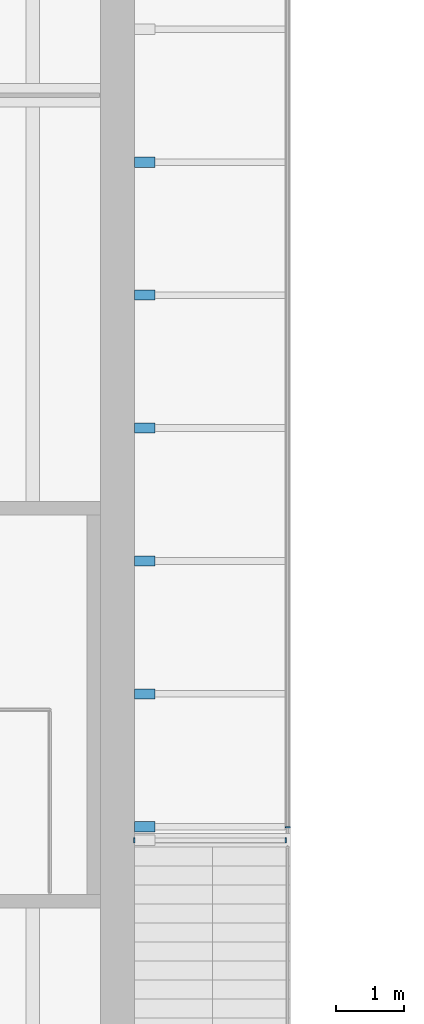
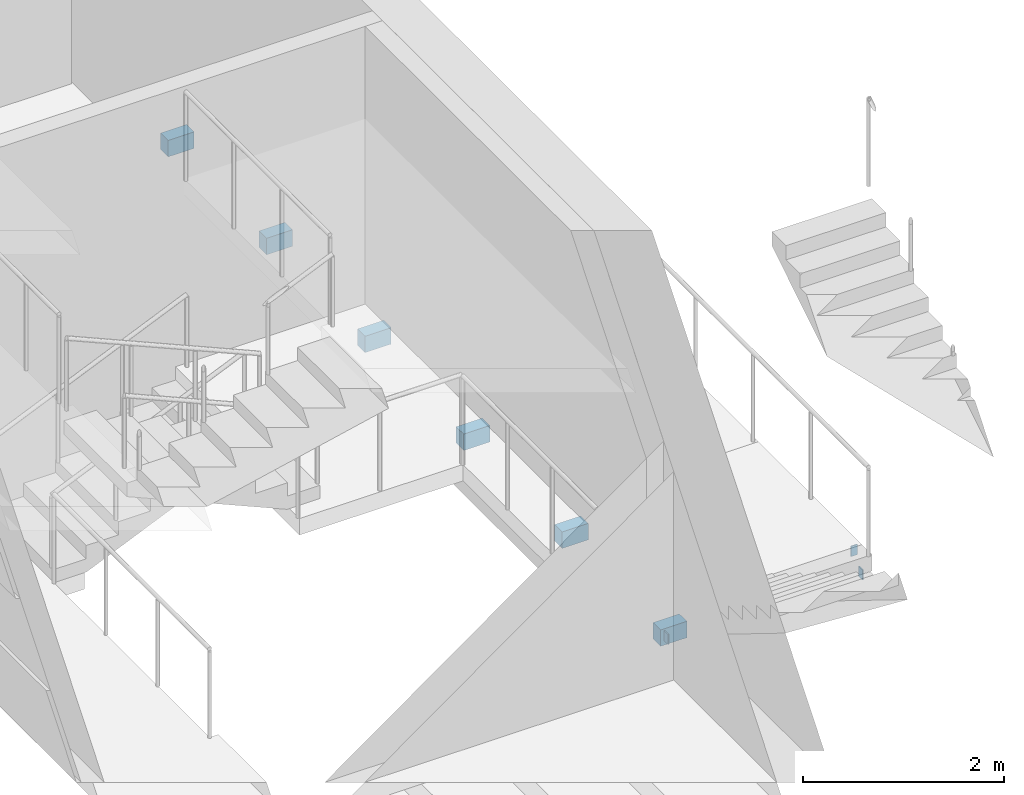
# One storey, part 38 of 70: 9 discrete accessories.
"""IFC4 building model written with IfcOpenShell, lengths in metres."""

import ifcopenshell
import ifcopenshell.guid

model = None  # the IFC model being written
_history = None  # IfcOwnerHistory: only IFC2X3 demands one
_inside = {}  # id of a spatial element -> (the spatial element, [elements in it])
_under = {}  # id of a project, library or spatial element -> (it, [spatial elements below it])
_declared = {}  # id of a project -> (the project, [libraries it declares])
_typed = {}  # id of a type object -> (the type object, [elements of that type])
_made_of = {}  # id of a material, layer set ... -> (it, [elements and type objects made of it])


def new_model(schema):
    """Start an empty IFC model of exactly this schema.

    Asked for "IFC4X3", IfcOpenShell would pick the latest addendum, in which some entities
    have other attributes; the version numbers below select the first issue.
    IFC2X3 requires an IfcOwnerHistory on every rooted entity: one is made here for all.
    """
    global model, _history
    if schema == "IFC4X3":
        model = ifcopenshell.file(schema_version=(4, 3, 0, 0))
    else:
        model = ifcopenshell.file(schema=schema)
    _inside.clear()
    _under.clear()
    _declared.clear()
    _typed.clear()
    _made_of.clear()
    _history = None
    if model.schema == "IFC2X3":
        org = make("IfcOrganization", Name="unknown")
        user = make(
            "IfcPersonAndOrganization",
            ThePerson=make("IfcPerson", FamilyName="unknown"),
            TheOrganization=org,
        )
        app = make(
            "IfcApplication",
            ApplicationDeveloper=org,
            Version="unknown",
            ApplicationFullName="unknown",
            ApplicationIdentifier="unknown",
        )
        _history = make(
            "IfcOwnerHistory",
            OwningUser=user,
            OwningApplication=app,
            ChangeAction="ADDED",
            CreationDate=0,
        )
    return model


def make(cls, **values):
    """One entity of the class cls with the attributes given. An attribute that is None is left unset."""
    return model.create_entity(
        cls, **{name: value for name, value in values.items() if value is not None}
    )


def rooted(cls, **values):
    """An entity with a GlobalId (a new one), such as an element, a storey or a relation."""
    return make(cls, GlobalId=ifcopenshell.guid.new(), OwnerHistory=_history, **values)


def si_unit(unit_type, name, prefix=None):
    """IfcSIUnit, for example si_unit("LENGTHUNIT", "METRE", prefix="MILLI")."""
    return make("IfcSIUnit", UnitType=unit_type, Prefix=prefix, Name=name)


def assignment(units):
    """IfcUnitAssignment: the units of a project."""
    return None if units is None else make("IfcUnitAssignment", Units=units)


def point(xyz):
    """IfcCartesianPoint."""
    return None if xyz is None else make("IfcCartesianPoint", Coordinates=xyz)


def direction(xyz):
    """IfcDirection."""
    return None if xyz is None else make("IfcDirection", DirectionRatios=xyz)


def frame(location, z_axis=None, x_axis=None):
    """IfcAxis2Placement3D, a coordinate frame: its origin and axes. An axis left out is left unset."""
    return make(
        "IfcAxis2Placement3D",
        Location=point(location),
        Axis=direction(z_axis),
        RefDirection=direction(x_axis),
    )


def frame_2d(location, x_axis=None):
    """IfcAxis2Placement2D, a coordinate frame in the plane: its origin and x axis."""
    return make(
        "IfcAxis2Placement2D", Location=point(location), RefDirection=direction(x_axis)
    )


def origin():
    """The frame at (0, 0, 0) with its axes left unset."""
    return frame((0.0, 0.0, 0.0))


def origin_2d():
    """The frame at (0, 0) in the plane with its x axis left unset."""
    return frame_2d((0.0, 0.0))


def place(relative_to, where):
    """IfcLocalPlacement: puts the frame where relative to a parent placement (None: the world)."""
    return make(
        "IfcLocalPlacement", PlacementRelTo=relative_to, RelativePlacement=where
    )


def context(
    kind, dimensions, precision=None, world=None, true_north=None, identifier=None
):
    """IfcGeometricRepresentationContext, for example the 3D "Model" context."""
    return make(
        "IfcGeometricRepresentationContext",
        ContextIdentifier=identifier,
        ContextType=kind,
        CoordinateSpaceDimension=dimensions,
        Precision=precision,
        WorldCoordinateSystem=world,
        TrueNorth=true_north,
    )


def subcontext(parent, identifier, kind, view, scale=None):
    """IfcGeometricRepresentationSubContext, for example "Body" below "Model"."""
    return make(
        "IfcGeometricRepresentationSubContext",
        ContextIdentifier=identifier,
        ContextType=kind,
        ParentContext=parent,
        TargetScale=scale,
        TargetView=view,
    )


def project(units=None, contexts=None):
    """IfcProject with its units and contexts."""
    return rooted(
        "IfcProject",
        Name="project",
        RepresentationContexts=contexts,
        UnitsInContext=assignment(units),
    )


def spatial(cls, under=None, at=None, **own):
    """A site, building, storey or space (cls), placed at a placement, below another one or the project."""
    s = rooted(cls, ObjectPlacement=at, **own)
    if under is not None:
        _under.setdefault(under.id(), (under, []))[1].append(s)
    return s


def profile(cls, at=None, kind="AREA", **sizes):
    """A parametric profile (cls). Its sizes go by their IFC names, for example OverallWidth=200.0."""
    return make(cls, ProfileType=kind, Position=at, **sizes)


def rectangle(**sizes):
    """IfcRectangleProfileDef."""
    return profile("IfcRectangleProfileDef", **sizes)


def extrude(swept, where, along, depth):
    """IfcExtrudedAreaSolid: the profile swept, set in the frame where, extruded along a direction by depth."""
    return make(
        "IfcExtrudedAreaSolid",
        SweptArea=swept,
        Position=where,
        ExtrudedDirection=direction(along),
        Depth=depth,
    )


def shape(context_of_items, identifier, shape_type, items):
    """IfcShapeRepresentation: the items that make up one representation, for example the "Body"."""
    return make(
        "IfcShapeRepresentation",
        ContextOfItems=context_of_items,
        RepresentationIdentifier=identifier,
        RepresentationType=shape_type,
        Items=items,
    )


def material(Name=None, Category=None):
    """IfcMaterial."""
    return make("IfcMaterial", Name=Name, Category=Category)


def material_profile(
    of_material, cross_section, Name=None, Category=None, Priority=None
):
    """IfcMaterialProfile: a cross section and its material."""
    return make(
        "IfcMaterialProfile",
        Name=Name,
        Material=of_material,
        Profile=cross_section,
        Priority=Priority,
        Category=Category,
    )


def profile_set(profiles, Name=None, composite=None):
    """IfcMaterialProfileSet."""
    return make(
        "IfcMaterialProfileSet",
        Name=Name,
        MaterialProfiles=profiles,
        CompositeProfile=composite,
    )


def made_of(thing, what):
    """Note that an element or type object is made of a material, layer set ...; save() writes the relation."""
    if what is not None:
        _made_of.setdefault(what.id(), (what, []))[1].append(thing)
    return thing


def type_object(cls, material=None, **own):
    """A type object (cls), such as IfcWallType, which elements share."""
    return made_of(rooted(cls, **own), material)


def element(
    cls,
    number,
    at=None,
    inside=None,
    cuts=None,
    type_object=None,
    material=None,
    context=None,
    identifier="Body",
    shape_type=None,
    held_by="IfcProductDefinitionShape",
    body=None,
    shapes=None,
    **own,
):
    """One element of the class cls, such as IfcWall. Its Tag is "e" and its number.

    at: its placement. inside: the storey or other place that contains it. cuts: it is an
    opening in that element (IfcRelVoidsElement). A single representation is given by context,
    identifier, shape_type and body (its items); several are given by shapes. held_by: the class
    of the entity that holds the representations. save() writes the other relations.
    """
    e = rooted(cls, Tag="e%d" % number, ObjectPlacement=at, **own)
    if body is not None:
        shapes = [shape(context, identifier, shape_type, body)]
    if shapes is not None:
        e.Representation = make(held_by, Representations=shapes)
    if inside is not None:
        _inside.setdefault(inside.id(), (inside, []))[1].append(e)
    if cuts is not None:
        rooted(
            "IfcRelVoidsElement", RelatingBuildingElement=cuts, RelatedOpeningElement=e
        )
    if type_object is not None:
        _typed.setdefault(type_object.id(), (type_object, []))[1].append(e)
    return made_of(e, material)


def aggregate(whole, parts):
    """IfcRelAggregates: a whole, such as a stair, and the parts it consists of."""
    return rooted("IfcRelAggregates", RelatingObject=whole, RelatedObjects=parts)


def save(model, path):
    """Write the relations noted so far, then the file.

    IfcRelAggregates (storeys below a building ...), IfcRelContainedInSpatialStructure (elements
    in a storey), IfcRelDefinesByType, IfcRelAssociatesMaterial and IfcRelDeclares: one each for
    every whole, place, type object, material and project.
    """
    for whole, parts in _under.values():
        aggregate(whole, parts)
    for where, things in _inside.values():
        rooted(
            "IfcRelContainedInSpatialStructure",
            RelatedElements=things,
            RelatingStructure=where,
        )
    for kind, things in _typed.values():
        rooted("IfcRelDefinesByType", RelatedObjects=things, RelatingType=kind)
    for what, things in _made_of.values():
        rooted("IfcRelAssociatesMaterial", RelatedObjects=things, RelatingMaterial=what)
    for by, libraries in _declared.values():
        rooted("IfcRelDeclares", RelatingContext=by, RelatedDefinitions=libraries)
    model.write(path)


model = new_model("IFC4")

# Units and contexts
model_context = context("Model", 3, precision=1e-05, world=origin(), true_north=direction((0.0, 1.0)))
body_context = subcontext(model_context, "Body", "Model", "MODEL_VIEW")
ifc_project = project(units=[si_unit("LENGTHUNIT", "METRE"), si_unit("AREAUNIT", "SQUARE_METRE"), si_unit("VOLUMEUNIT", "CUBIC_METRE"), si_unit("PLANEANGLEUNIT", "RADIAN"), si_unit("MASSUNIT", "GRAM", prefix="KILO")], contexts=[model_context])

# Site, building, storey
site_placement = place(None, origin())
site = spatial("IfcSite", under=ifc_project, at=site_placement, CompositionType="ELEMENT")
building_placement = place(site_placement, origin())
building = spatial("IfcBuilding", under=site, at=building_placement, Name="Saffron Lane Theatres", CompositionType="ELEMENT")
storey_placement = place(building_placement, frame((0.0, 0.0, 12.0)))
storey = spatial("IfcBuildingStorey", under=building, at=storey_placement, Name="L02", CompositionType="ELEMENT", Elevation=12.0)

# Discrete accessories
ifc_material = material(Name="Steel Grade 350", Category="steel")
ifc_material_profile = material_profile(ifc_material, rectangle(XDim=0.074951171875, YDim=0.125, at=origin_2d()))
ifc_profile_set = profile_set([ifc_material_profile], Name="Steel Grade 350")
discrete_accessory_type = type_object("IfcDiscreteAccessoryType", Name="ST-STEEL END CAP 125x75x5 RHS", PredefinedType="ANCHORPLATE", material=ifc_profile_set)
for number, where, z_axis, x_axis, name in (
    (1, (18.488037109375, 37.0, -0.262451171875), (1.0, 0.0, 0.0), (0.0, 1.0, 0.0), "EC583"),
    (2, (20.72509765625, 37.0, -0.262451171875), (1.0, 0.0, 0.0), (0.0, 1.0, 0.0), "EC584"),
    (3, (20.762451171875, 37.18798828125, -0.112548828125), (0.0, 1.0, 0.0), (-1.0, 0.0, 0.0), "EC585"),
):
    element("IfcDiscreteAccessory", number, at=place(storey_placement, frame(where, z_axis=z_axis, x_axis=x_axis)), inside=storey, type_object=discrete_accessory_type, Name=name, PredefinedType="ANCHORPLATE", context=body_context, shape_type="SweptSolid", body=[
        extrude(rectangle(XDim=0.074951171875, YDim=0.125, at=origin_2d()), origin(), (0.0, 0.0, 1.0), 0.011962890625),
    ])
for number, where, z_axis, x_axis, name in (
    (4, (18.64990234375, 37.199951171875, -0.44775390625), (0.0, 0.0, 1.0), (1.0, 0.0, 0.0), "FKW12-2"),
    (5, (18.64990234375, 39.16259765625, -0.44775390625), (0.0, 0.0, 1.0), (1.0, 0.0, 0.0), "FKW12-3"),
    (6, (18.64990234375, 41.125, -0.44775390625), (0.0, 0.0, 1.0), (1.0, 0.0, 0.0), "FKW12-4"),
    (7, (18.64990234375, 43.08740234375, -0.44775390625), (0.0, 0.0, 1.0), (1.0, 0.0, 0.0), "FKW12-5"),
    (8, (18.64990234375, 45.050048828125, -0.44775390625), (0.0, 0.0, 1.0), (1.0, 0.0, 0.0), "FKW12-6"),
    (9, (18.64990234375, 47.012451171875, -0.44775390625), (0.0, 0.0, 1.0), (1.0, 0.0, 0.0), "FKW12-7"),
):
    element("IfcDiscreteAccessory", number, at=place(storey_placement, frame(where, z_axis=z_axis, x_axis=x_axis)), inside=storey, Name=name, PredefinedType="BRACKET", context=body_context, shape_type="SweptSolid", body=[
        extrude(rectangle(XDim=0.300048828125, YDim=0.14990234375, at=origin_2d()), origin(), (0.0, 0.0, 1.0), 0.199951171875),
    ])

save(model, "model.ifc")
